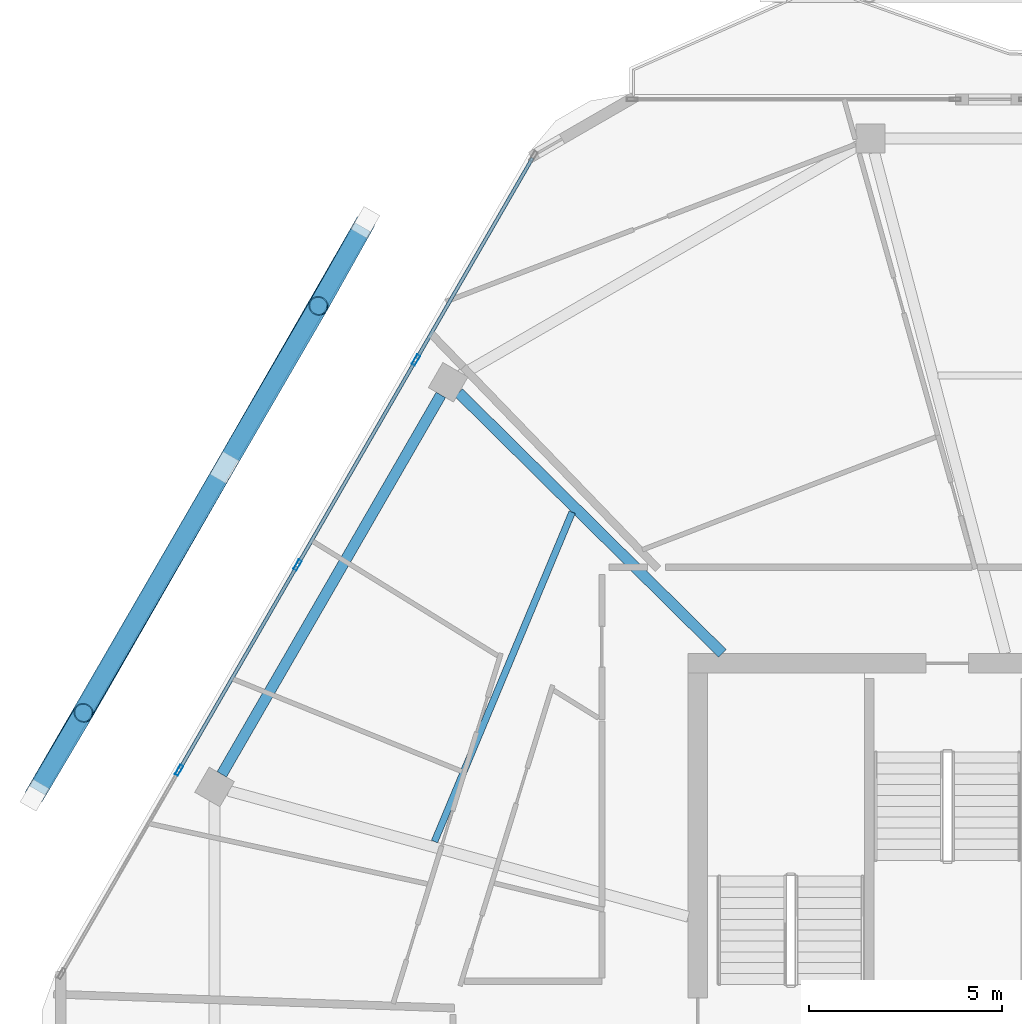
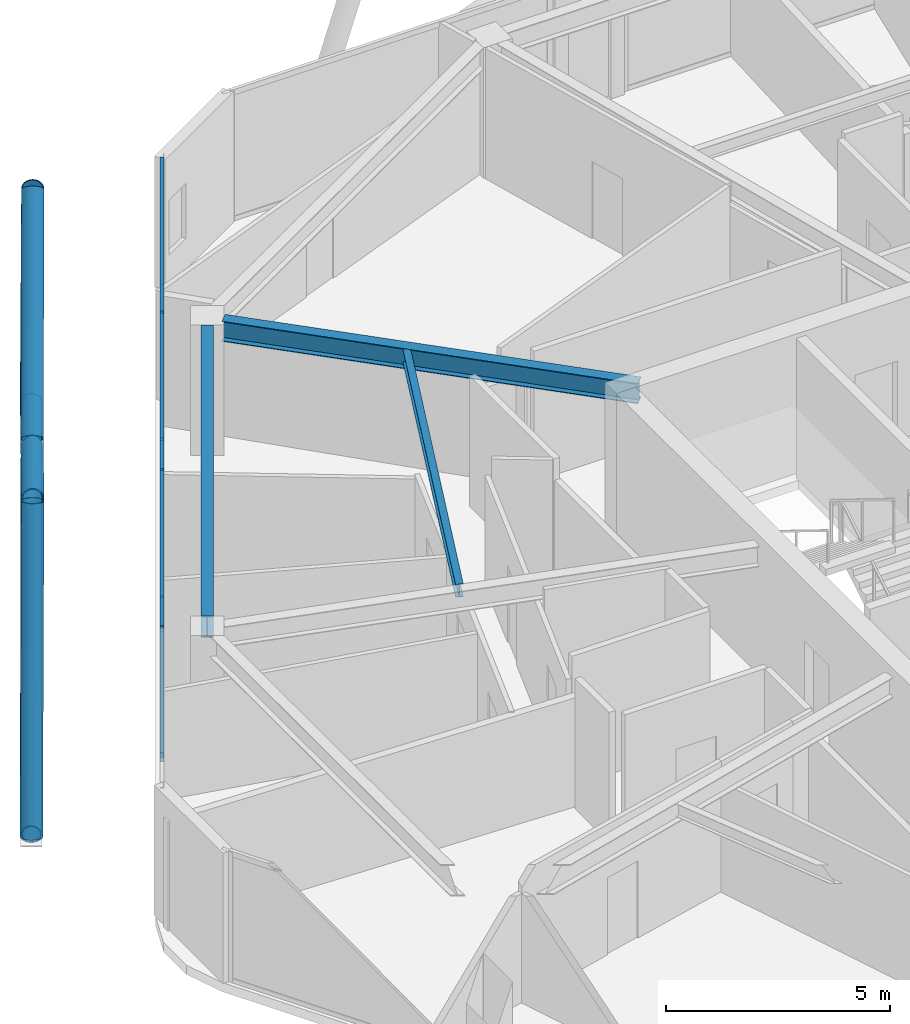
# One storey, part 9 of 23: 15 members, 3 beams, 1 element without a shape of its own.
"""IFC4 building model written with IfcOpenShell, lengths in metres."""

from ifc_helpers import new_model, si_unit, direction, frame, origin, origin_2d, place, context, subcontext, project, spatial, hollow_rectangle, hollow_circle, i_section, extrude, material, material_profile, profile_set, type_object, element, aggregate, save


model = new_model("IFC4")

# Units and contexts
model_context = context("Model", 3, precision=1e-05, world=origin(), true_north=direction((0.0, 1.0)))
body_context = subcontext(model_context, "Body", "Model", "MODEL_VIEW")
ifc_project = project(units=[si_unit("LENGTHUNIT", "METRE"), si_unit("AREAUNIT", "SQUARE_METRE"), si_unit("VOLUMEUNIT", "CUBIC_METRE"), si_unit("PLANEANGLEUNIT", "RADIAN"), si_unit("MASSUNIT", "GRAM", prefix="KILO")], contexts=[model_context])

# Site, building, storey
site_placement = place(None, origin())
site = spatial("IfcSite", under=ifc_project, at=site_placement, CompositionType="ELEMENT")
building_placement = place(site_placement, origin())
building = spatial("IfcBuilding", under=site, at=building_placement, Name="Zuhravey Tower", CompositionType="ELEMENT")
storey_placement = place(building_placement, frame((0.0, 0.0, 346.199951171875)))
storey = spatial("IfcBuildingStorey", under=building, at=storey_placement, Name="L88", CompositionType="ELEMENT", Elevation=346.199951171875)

# Curtain wall, members
ifc_material_1 = material(Name="Thermally broken anodised aluminium", Category="aluminium")
curtain_wall_type = type_object("IfcCurtainWallType", Name="Zone 3-4 High-Rise Curtain Wall CW4", PredefinedType="NOTDEFINED", material=ifc_material_1)
curtain_wall_placement = place(storey_placement, origin())
curtain_wall = element("IfcCurtainWall", 1, at=curtain_wall_placement, inside=storey, type_object=curtain_wall_type, Name="L88 CW4 CW-L88-F3-1", PredefinedType="NOTDEFINED")
ifc_material_2 = material(Name="Anodised aluminium", Category="aluminium")
ifc_material_profile_1 = material_profile(ifc_material_2, hollow_rectangle(XDim=0.090087890625, YDim=0.284912109375, WallThickness=0.0048828125, at=origin_2d()), Name="ALU-RHS-90x285x5")
ifc_profile_set_1 = profile_set([ifc_material_profile_1], Name="Anodised aluminium")
member_type_1 = type_object("IfcMemberType", Name="Curtain-Wall Mullion 90x180", PredefinedType="MULLION", material=ifc_profile_set_1)
member_1_placement = place(storey_placement, frame((12.09130859375, 38.7373046875, 0.0), z_axis=(0.0, 0.0, 1.0), x_axis=(-0.866025511541, 0.49999981336, 0.0)))
member_1 = element("IfcMember", 2, at=member_1_placement, type_object=member_type_1, Name="CW4 mullion 2", PredefinedType="MULLION", context=body_context, shape_type="SweptSolid", body=[
    extrude(hollow_rectangle(XDim=0.090087890625, YDim=0.284912109375, WallThickness=0.0048828125, at=origin_2d()), origin(), (0.0, 0.0, 1.0), 3.550048828125),
])
member_2_placement = place(storey_placement, frame((15.1513671875, 44.037109375, 0.0), z_axis=(0.0, 0.0, 1.0), x_axis=(-0.866025511541, 0.49999981336, 0.0)))
member_2 = element("IfcMember", 3, at=member_2_placement, type_object=member_type_1, Name="CW4 mullion 3", PredefinedType="MULLION", context=body_context, shape_type="SweptSolid", body=[
    extrude(hollow_rectangle(XDim=0.090087890625, YDim=0.284912109375, WallThickness=0.0048828125, at=origin_2d()), origin(), (0.0, 0.0, 1.0), 3.550048828125),
])
member_3_placement = place(storey_placement, frame((18.211181640625, 49.3369140625, 0.0), z_axis=(0.0, 0.0, 1.0), x_axis=(-0.866025511541, 0.49999981336, 0.0)))
member_3 = element("IfcMember", 4, at=member_3_placement, type_object=member_type_1, Name="CW4 mullion 4", PredefinedType="MULLION", context=body_context, shape_type="SweptSolid", body=[
    extrude(hollow_rectangle(XDim=0.090087890625, YDim=0.284912109375, WallThickness=0.0048828125, at=origin_2d()), origin(), (0.0, 0.0, 1.0), 3.550048828125),
])
ifc_material_profile_2 = material_profile(ifc_material_2, hollow_rectangle(XDim=0.090087890625, YDim=0.14990234375, WallThickness=0.0048828125, at=origin_2d()), Name="ALU-RHS-90x150x5")
ifc_profile_set_2 = profile_set([ifc_material_profile_2], Name="Anodised aluminium")
member_type_2 = type_object("IfcMemberType", Name="Curtain-Wall Transom 90x150", PredefinedType="USERDEFINED", material=ifc_profile_set_2)
member_4_placement = place(storey_placement, frame((12.114013671875, 38.7763671875, 0.045166015625), z_axis=(0.499988837749, 0.866031848217, 0.0), x_axis=(-0.866031848217, 0.499988837749, 0.0)))
member_4 = element("IfcMember", 5, at=member_4_placement, type_object=member_type_2, Name="CW4 transom 2.1", ObjectType="TRANSOM", PredefinedType="USERDEFINED", context=body_context, shape_type="SweptSolid", body=[
    extrude(hollow_rectangle(XDim=0.090087890625, YDim=0.14990234375, WallThickness=0.0048828125, at=origin_2d()), origin(), (0.0, 0.0, 1.0), 6.029541015625),
])
member_5_placement = place(storey_placement, frame((12.114013671875, 38.7763671875, 3.505126953125), z_axis=(0.499988837749, 0.866031848217, 0.0), x_axis=(-0.866031848217, 0.499988837749, 0.0)))
member_5 = element("IfcMember", 6, at=member_5_placement, type_object=member_type_2, Name="CW4 transom 2.2", ObjectType="TRANSOM", PredefinedType="USERDEFINED", context=body_context, shape_type="SweptSolid", body=[
    extrude(hollow_rectangle(XDim=0.090087890625, YDim=0.14990234375, WallThickness=0.0048828125, at=origin_2d()), origin(), (0.0, 0.0, 1.0), 6.029541015625),
])
member_6_placement = place(storey_placement, frame((15.173828125, 44.075927734375, 0.045166015625), z_axis=(0.499971305196, 0.866041970103, 0.0), x_axis=(-0.866041970103, 0.499971305196, 0.0)))
member_6 = element("IfcMember", 7, at=member_6_placement, type_object=member_type_2, Name="CW4 transom 3.1", ObjectType="TRANSOM", PredefinedType="USERDEFINED", context=body_context, shape_type="SweptSolid", body=[
    extrude(hollow_rectangle(XDim=0.090087890625, YDim=0.14990234375, WallThickness=0.0048828125, at=origin_2d()), origin(), (0.0, 0.0, 1.0), 6.029541015625),
])
member_7_placement = place(storey_placement, frame((15.173828125, 44.075927734375, 3.505126953125), z_axis=(0.499971305196, 0.866041970103, 0.0), x_axis=(-0.866041970103, 0.499971305196, 0.0)))
member_7 = element("IfcMember", 8, at=member_7_placement, type_object=member_type_2, Name="CW4 transom 3.2", ObjectType="TRANSOM", PredefinedType="USERDEFINED", context=body_context, shape_type="SweptSolid", body=[
    extrude(hollow_rectangle(XDim=0.090087890625, YDim=0.14990234375, WallThickness=0.0048828125, at=origin_2d()), origin(), (0.0, 0.0, 1.0), 6.029541015625),
])
member_8_placement = place(storey_placement, frame((18.233642578125, 49.375732421875, 0.045166015625), z_axis=(0.499982594807, 0.866035452444, 0.0), x_axis=(-0.866035452444, 0.499982594807, 0.0)))
member_8 = element("IfcMember", 9, at=member_8_placement, type_object=member_type_2, Name="CW4 transom 4.1", ObjectType="TRANSOM", PredefinedType="USERDEFINED", context=body_context, shape_type="SweptSolid", body=[
    extrude(hollow_rectangle(XDim=0.090087890625, YDim=0.14990234375, WallThickness=0.0048828125, at=origin_2d()), origin(), (0.0, 0.0, 1.0), 5.984619140625),
])
member_9_placement = place(storey_placement, frame((18.233642578125, 49.375732421875, 3.505126953125), z_axis=(0.499982594807, 0.866035452444, 0.0), x_axis=(-0.866035452444, 0.499982594807, 0.0)))
member_9 = element("IfcMember", 10, at=member_9_placement, type_object=member_type_2, Name="CW4 transom 4.2", ObjectType="TRANSOM", PredefinedType="USERDEFINED", context=body_context, shape_type="SweptSolid", body=[
    extrude(hollow_rectangle(XDim=0.090087890625, YDim=0.14990234375, WallThickness=0.0048828125, at=origin_2d()), origin(), (0.0, 0.0, 1.0), 5.984619140625),
])
aggregate(curtain_wall, [member_1, member_2, member_3, member_4, member_5, member_6, member_7, member_8, member_9])

# Members
ifc_material_3 = material(Name="Steel SM355", Category="steel")
ifc_material_profile_3 = material_profile(ifc_material_3, hollow_circle(Radius=0.228515625, WallThickness=0.02197265625, at=origin_2d()), Name="CHS-457.2x22")
ifc_profile_set_3 = profile_set([ifc_material_profile_3], Name="Steel SM355")
member_type_3 = type_object("IfcMemberType", Name="Exoskeleton Ring Tie CHS457x22", PredefinedType="CHORD", material=ifc_profile_set_3)
member_10_placement = place(storey_placement, frame((16.8359375, 52.77490234375, -0.4638671875), z_axis=(-0.499996794797, -0.866027254301, 0.0), x_axis=(0.866027254301, -0.499996794797, 0.0)))
element("IfcMember", 11, at=member_10_placement, inside=storey, type_object=member_type_3, Name="L88 Exoskeleton Face 3 Tie EXR1", PredefinedType="CHORD", context=body_context, shape_type="SweptSolid", body=[
    extrude(hollow_circle(Radius=0.228515625, WallThickness=0.02197265625, at=origin_2d()), origin(), (0.0, 0.0, 1.0), 16.81884765625),
])
ifc_material_profile_4 = material_profile(ifc_material_3, hollow_circle(Radius=0.25390625, WallThickness=0.02490234375, at=origin_2d()), Name="CHS-508.0x25")
ifc_profile_set_4 = profile_set([ifc_material_profile_4], Name="Steel SM355")
member_type_4 = type_object("IfcMemberType", Name="Exoskeleton Zone 4 Diagrid CHS508x25", PredefinedType="BRACE", material=ifc_profile_set_4)
member_11_placement = place(storey_placement, frame((16.9033203125, 52.891357421875, -0.447998046875), z_axis=(-0.15446548668, -0.2751143767, 0.948921752916), x_axis=(0.87196307079, -0.489571652751, 0.0)))
element("IfcMember", 12, at=member_11_placement, inside=storey, type_object=member_type_4, Name="L88 Face 3 Diagrid Brace 1", PredefinedType="BRACE", context=body_context, shape_type="SweptSolid", body=[
    extrude(hollow_circle(Radius=0.25390625, WallThickness=0.02490234375, at=origin_2d()), origin(), (0.0, 0.0, 1.0), 7.833251953125),
])
member_12_placement = place(storey_placement, frame((16.890380859375, 52.868896484375, -0.447998046875), z_axis=(-0.443718041048, -0.772166793673, 0.454832653617), x_axis=(0.867041097786, -0.49823662526, 0.0)))
element("IfcMember", 13, at=member_12_placement, inside=storey, type_object=member_type_4, Name="L88 Face 3 Diagrid Brace 2", PredefinedType="BRACE", context=body_context, shape_type="SweptSolid", body=[
    extrude(hollow_circle(Radius=0.25390625, WallThickness=0.02490234375, at=origin_2d()), origin(), (0.0, 0.0, 1.0), 16.342529296875),
])
member_13_placement = place(storey_placement, frame((8.359130859375, 38.092529296875, -0.447998046875), z_axis=(0.161040670764, 0.271341219213, 0.948915088464), x_axis=(-0.859949583119, 0.510378991038, 0.0)))
element("IfcMember", 14, at=member_13_placement, inside=storey, type_object=member_type_4, Name="L88 Face 3 Diagrid Brace 4", PredefinedType="BRACE", context=body_context, shape_type="SweptSolid", body=[
    extrude(hollow_circle(Radius=0.25390625, WallThickness=0.02490234375, at=origin_2d()), origin(), (0.0, 0.0, 1.0), 7.833251953125),
])
member_14_placement = place(storey_placement, frame((8.372802734375, 38.116455078125, -0.451416015625), z_axis=(0.468448479814, 0.80849194937, 0.356225756457), x_axis=(-0.865252588418, 0.501336172877, 0.0)))
element("IfcMember", 15, at=member_14_placement, inside=storey, type_object=member_type_4, Name="L88 Face 3 Split Diagrid Brace 3A", PredefinedType="BRACE", context=body_context, shape_type="SweptSolid", body=[
    extrude(hollow_circle(Radius=0.25390625, WallThickness=0.02490234375, at=origin_2d()), origin(), (0.0, 0.0, 1.0), 10.19873046875),
])
member_15_placement = place(storey_placement, frame((13.361572265625, 46.72607421875, 3.417724609375), z_axis=(0.397646914693, 0.683836959276, 0.611754807388), x_axis=(-0.86447022377, 0.502684028208, 0.0)))
element("IfcMember", 16, at=member_15_placement, inside=storey, type_object=member_type_4, Name="L88 Face 3 Split Diagrid Brace 3B", PredefinedType="BRACE", context=body_context, shape_type="SweptSolid", body=[
    extrude(hollow_circle(Radius=0.25390625, WallThickness=0.02490234375, at=origin_2d()), origin(), (0.0, 0.0, 1.0), 5.822265625),
])

# Beams
ifc_material_profile_5 = material_profile(ifc_material_3, i_section(OverallWidth=0.280029296875, OverallDepth=0.580078125, WebThickness=0.011962890625, FlangeThickness=0.01904296875, at=origin_2d()), Name="H-580x280x12x19")
ifc_profile_set_5 = profile_set([ifc_material_profile_5], Name="Steel SM355")
beam_type_1 = type_object("IfcBeamType", Name="Perimeter Ring Beam H580x280", PredefinedType="BEAM", material=ifc_profile_set_5)
beam_1_placement = place(storey_placement, frame((18.856201171875, 48.434326171875, 3.260009765625), z_axis=(-0.499993743963, -0.866029015679, 0.0), x_axis=(0.866029015679, -0.499993743963, 0.0)))
element("IfcBeam", 17, at=beam_1_placement, inside=storey, type_object=beam_type_1, Name="L88 PB4 BM-L88-PB-05", PredefinedType="BEAM", context=body_context, shape_type="SweptSolid", body=[
    extrude(i_section(OverallWidth=0.280029296875, OverallDepth=0.580078125, WebThickness=0.011962890625, FlangeThickness=0.01904296875, at=origin_2d()), origin(), (0.0, 0.0, 1.0), 11.321533203125),
])
ifc_material_profile_6 = material_profile(ifc_material_3, i_section(OverallWidth=0.280029296875, OverallDepth=0.550048828125, WebThickness=0.010986328125, FlangeThickness=0.01806640625, at=origin_2d()), Name="H-550x280x11x18")
ifc_profile_set_6 = profile_set([ifc_material_profile_6], Name="Steel SM355")
beam_type_2 = type_object("IfcBeamType", Name="Radial Primary Girder H550x280", PredefinedType="BEAM", material=ifc_profile_set_6)
beam_2_placement = place(storey_placement, frame((26.134765625, 41.7529296875, 3.275146484375), z_axis=(-0.711142578304, 0.703047817238, 0.0), x_axis=(-0.703047817238, -0.711142578304, 0.0)))
element("IfcBeam", 18, at=beam_2_placement, inside=storey, type_object=beam_type_2, Name="L88 RG4 BM-L88-RAD-05", PredefinedType="BEAM", context=body_context, shape_type="SweptSolid", body=[
    extrude(i_section(OverallWidth=0.280029296875, OverallDepth=0.550048828125, WebThickness=0.010986328125, FlangeThickness=0.01806640625, at=origin_2d()), origin(), (0.0, 0.0, 1.0), 9.591064453125),
])
ifc_material_profile_7 = material_profile(ifc_material_3, i_section(OverallWidth=0.175048828125, OverallDepth=0.35009765625, WebThickness=0.007080078125, FlangeThickness=0.010986328125, at=origin_2d()), Name="H-350x175x7x11")
ifc_profile_set_7 = profile_set([ifc_material_profile_7], Name="Steel SM355")
beam_type_3 = type_object("IfcBeamType", Name="Secondary Floor Joist H350x175", PredefinedType="JOIST", material=ifc_profile_set_7)
beam_3_placement = place(storey_placement, frame((22.2509765625, 45.40478515625, 3.375), z_axis=(-0.385657891576, -0.922641853953, 0.0), x_axis=(0.922641853953, -0.385657891576, 0.0)))
element("IfcBeam", 19, at=beam_3_placement, inside=storey, type_object=beam_type_3, Name="L88 SJ3 BM-L88-SJ-05-1", PredefinedType="JOIST", context=body_context, shape_type="SweptSolid", body=[
    extrude(i_section(OverallWidth=0.175048828125, OverallDepth=0.35009765625, WebThickness=0.007080078125, FlangeThickness=0.010986328125, at=origin_2d()), origin(), (0.0, 0.0, 1.0), 9.226806640625),
])

save(model, "model.ifc")
